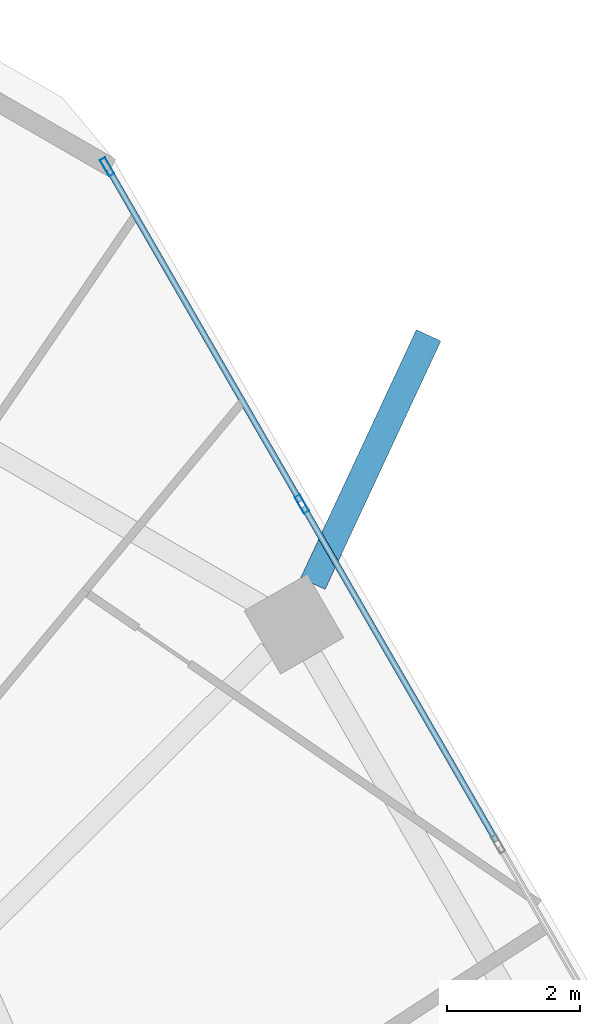
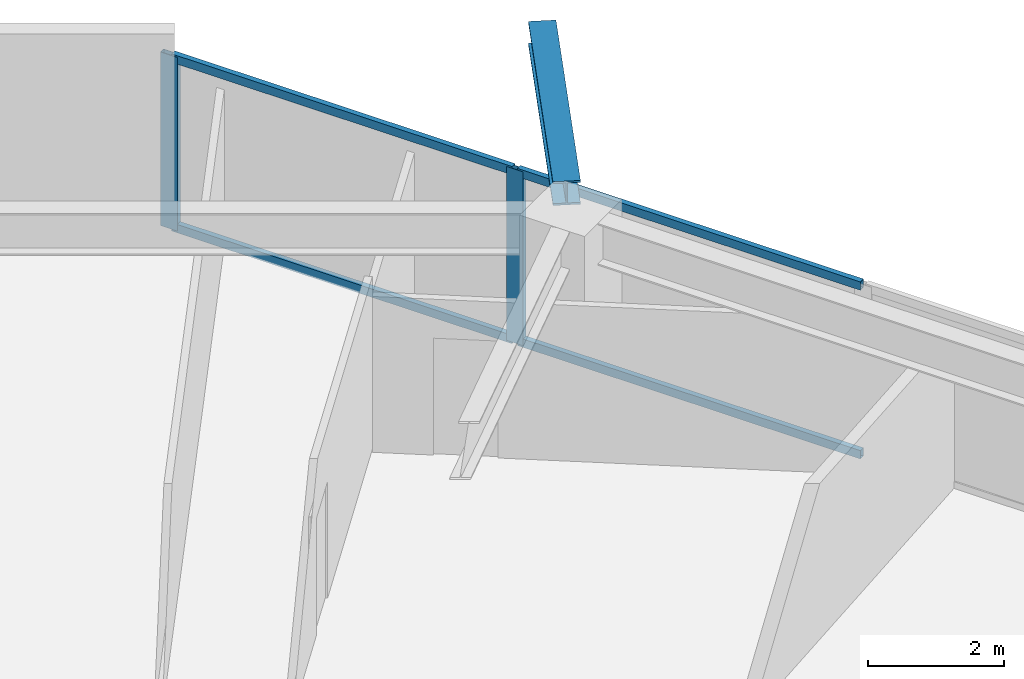
# One storey, part 20 of 32: 6 members, 1 beam, 1 element without a shape of its own.
"""IFC4 building model written with IfcOpenShell, lengths in metres."""

from ifc_helpers import new_model, si_unit, direction, frame, origin, origin_2d, place, context, subcontext, project, spatial, hollow_rectangle, i_section, extrude, material, material_profile, profile_set, type_object, element, aggregate, save


model = new_model("IFC4")

# Units and contexts
model_context = context("Model", 3, precision=1e-05, world=origin(), true_north=direction((0.0, 1.0)))
body_context = subcontext(model_context, "Body", "Model", "MODEL_VIEW")
ifc_project = project(units=[si_unit("LENGTHUNIT", "METRE"), si_unit("AREAUNIT", "SQUARE_METRE"), si_unit("VOLUMEUNIT", "CUBIC_METRE"), si_unit("PLANEANGLEUNIT", "RADIAN"), si_unit("MASSUNIT", "GRAM", prefix="KILO")], contexts=[model_context])

# Site, building, storey
site_placement = place(None, origin())
site = spatial("IfcSite", under=ifc_project, at=site_placement, CompositionType="ELEMENT")
building_placement = place(site_placement, origin())
building = spatial("IfcBuilding", under=site, at=building_placement, Name="Zuhravey Tower", CompositionType="ELEMENT")
storey_placement = place(building_placement, frame((0.0, 0.0, 119.0)))
storey = spatial("IfcBuildingStorey", under=building, at=storey_placement, Name="L29", CompositionType="ELEMENT", Elevation=119.0)

# Curtain wall, members
ifc_material_1 = material(Name="Thermally broken anodised aluminium", Category="aluminium")
curtain_wall_type = type_object("IfcCurtainWallType", Name="Zone 1-2 Residential Curtain Wall CW3", PredefinedType="NOTDEFINED", material=ifc_material_1)
curtain_wall_placement = place(storey_placement, origin())
curtain_wall = element("IfcCurtainWall", 1, at=curtain_wall_placement, inside=storey, type_object=curtain_wall_type, Name="L29 CW3 CW-L29-F1-1", PredefinedType="NOTDEFINED")
ifc_material_2 = material(Name="Anodised aluminium", Category="aluminium")
ifc_material_profile_1 = material_profile(ifc_material_2, hollow_rectangle(XDim=0.090087890625, YDim=0.284912109375, WallThickness=0.0048828125, at=origin_2d()), Name="ALU-RHS-90x285x5")
ifc_profile_set_1 = profile_set([ifc_material_profile_1], Name="Anodised aluminium")
member_type_1 = type_object("IfcMemberType", Name="Curtain-Wall Mullion 90x180", PredefinedType="MULLION", material=ifc_profile_set_1)
member_1_placement = place(storey_placement, frame((53.701416015625, 59.257080078125, 0.0), z_axis=(0.0, 0.0, 1.0), x_axis=(0.86602552265, 0.499999794119, 0.0)))
member_1 = element("IfcMember", 2, at=member_1_placement, type_object=member_type_1, Name="CW3 mullion 1", PredefinedType="MULLION", context=body_context, shape_type="SweptSolid", body=[
    extrude(hollow_rectangle(XDim=0.090087890625, YDim=0.284912109375, WallThickness=0.0048828125, at=origin_2d()), origin(), (0.0, 0.0, 1.0), 3.1220703125),
])
member_2_placement = place(storey_placement, frame((56.638916015625, 54.169189453125, 0.0), z_axis=(0.0, 0.0, 1.0), x_axis=(0.86602552265, 0.499999794119, 0.0)))
member_2 = element("IfcMember", 3, at=member_2_placement, type_object=member_type_1, Name="CW3 mullion 2", PredefinedType="MULLION", context=body_context, shape_type="SweptSolid", body=[
    extrude(hollow_rectangle(XDim=0.090087890625, YDim=0.284912109375, WallThickness=0.0048828125, at=origin_2d()), origin(), (0.0, 0.0, 1.0), 3.1220703125),
])
ifc_material_profile_2 = material_profile(ifc_material_2, hollow_rectangle(XDim=0.090087890625, YDim=0.14990234375, WallThickness=0.0048828125, at=origin_2d()), Name="ALU-RHS-90x150x5")
ifc_profile_set_2 = profile_set([ifc_material_profile_2], Name="Anodised aluminium")
member_type_2 = type_object("IfcMemberType", Name="Curtain-Wall Transom 90x150", PredefinedType="USERDEFINED", material=ifc_profile_set_2)
member_3_placement = place(storey_placement, frame((53.72412109375, 59.218017578125, 0.044921875), z_axis=(0.499992798144, -0.866029561738, 0.0), x_axis=(0.866029561738, 0.499992798144, 0.0)))
member_3 = element("IfcMember", 4, at=member_3_placement, type_object=member_type_2, Name="CW3 transom 1.1", ObjectType="TRANSOM", PredefinedType="USERDEFINED", context=body_context, shape_type="SweptSolid", body=[
    extrude(hollow_rectangle(XDim=0.090087890625, YDim=0.14990234375, WallThickness=0.0048828125, at=origin_2d()), origin(), (0.0, 0.0, 1.0), 5.78466796875),
])
member_4_placement = place(storey_placement, frame((53.72412109375, 59.218017578125, 3.076904296875), z_axis=(0.499992798144, -0.866029561738, 0.0), x_axis=(0.866029561738, 0.499992798144, 0.0)))
member_4 = element("IfcMember", 5, at=member_4_placement, type_object=member_type_2, Name="CW3 transom 1.2", ObjectType="TRANSOM", PredefinedType="USERDEFINED", context=body_context, shape_type="SweptSolid", body=[
    extrude(hollow_rectangle(XDim=0.090087890625, YDim=0.14990234375, WallThickness=0.0048828125, at=origin_2d()), origin(), (0.0, 0.0, 1.0), 5.78466796875),
])
member_5_placement = place(storey_placement, frame((56.661376953125, 54.13037109375, 0.044921875), z_axis=(0.500012451049, -0.866018215049, 0.0), x_axis=(0.866018215049, 0.500012451049, 0.0)))
member_5 = element("IfcMember", 6, at=member_5_placement, type_object=member_type_2, Name="CW3 transom 2.1", ObjectType="TRANSOM", PredefinedType="USERDEFINED", context=body_context, shape_type="SweptSolid", body=[
    extrude(hollow_rectangle(XDim=0.090087890625, YDim=0.14990234375, WallThickness=0.0048828125, at=origin_2d()), origin(), (0.0, 0.0, 1.0), 5.829833984375),
])
member_6_placement = place(storey_placement, frame((56.661376953125, 54.13037109375, 3.076904296875), z_axis=(0.500012451049, -0.866018215049, 0.0), x_axis=(0.866018215049, 0.500012451049, 0.0)))
member_6 = element("IfcMember", 7, at=member_6_placement, type_object=member_type_2, Name="CW3 transom 2.2", ObjectType="TRANSOM", PredefinedType="USERDEFINED", context=body_context, shape_type="SweptSolid", body=[
    extrude(hollow_rectangle(XDim=0.090087890625, YDim=0.14990234375, WallThickness=0.0048828125, at=origin_2d()), origin(), (0.0, 0.0, 1.0), 5.829833984375),
])
aggregate(curtain_wall, [member_1, member_2, member_3, member_4, member_5, member_6])

# Beam
ifc_material_3 = material(Name="Steel SM460", Category="steel")
ifc_material_profile_3 = material_profile(ifc_material_3, i_section(OverallWidth=0.406982421875, OverallDepth=0.427978515625, WebThickness=0.02001953125, FlangeThickness=0.034912109375, at=origin_2d()), Name="H-428x407x20x35")
ifc_profile_set_3 = profile_set([ifc_material_profile_3], Name="Steel SM460")
beam_type = type_object("IfcBeamType", Name="Exoskeleton Node Tie Beam H428x407", PredefinedType="BEAM", material=ifc_profile_set_3)
beam_placement = place(storey_placement, frame((56.804443359375, 52.96923828125, 3.3359375), z_axis=(0.422464917229, 0.906379276964, 0.0), x_axis=(-0.906379276964, 0.422464917229, 0.0)))
element("IfcBeam", 8, at=beam_placement, inside=storey, type_object=beam_type, Name="L29 Exoskeleton Node Tie NT1-02", PredefinedType="BEAM", context=body_context, shape_type="SweptSolid", body=[
    extrude(i_section(OverallWidth=0.406982421875, OverallDepth=0.427978515625, WebThickness=0.02001953125, FlangeThickness=0.034912109375, at=origin_2d()), origin(), (0.0, 0.0, 1.0), 4.1318359375),
])

save(model, "model.ifc")
